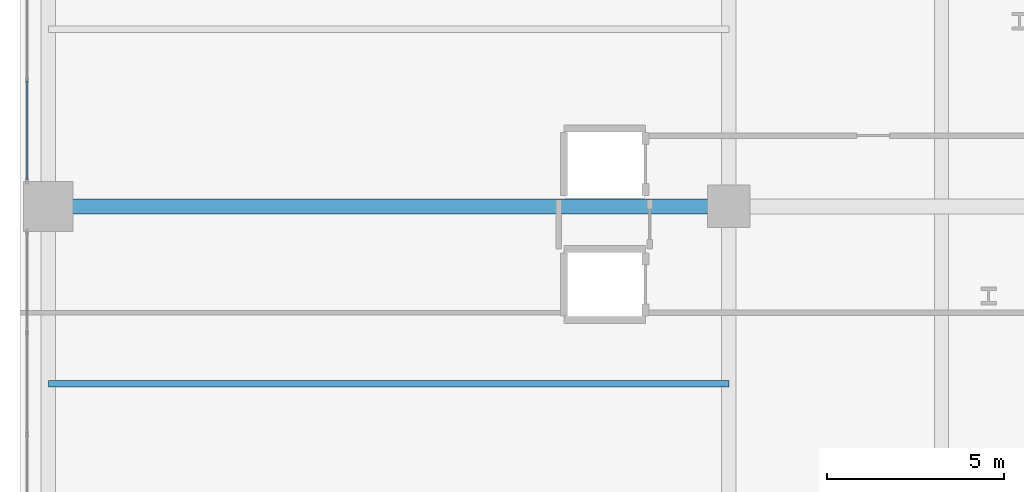
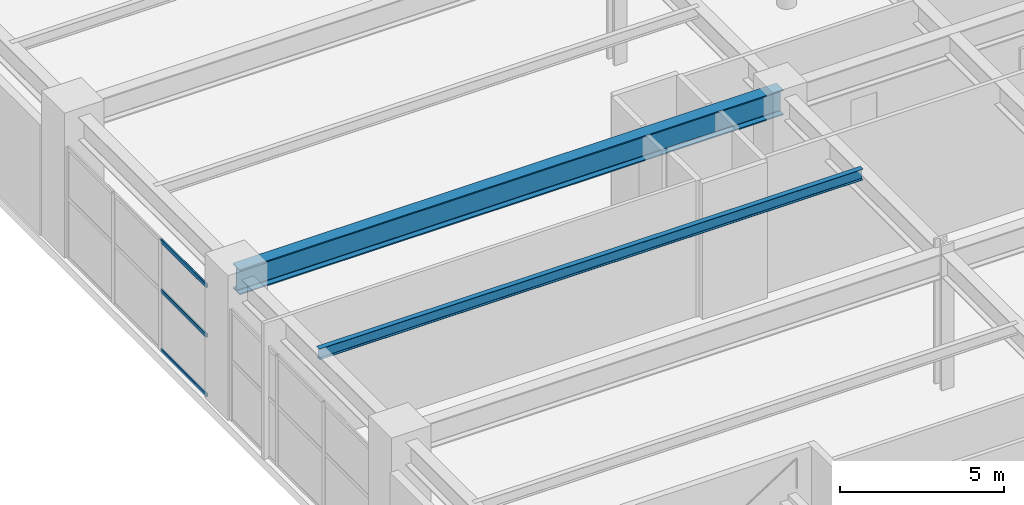
# One storey, part 8 of 28: 3 members, 2 beams, 1 element without a shape of its own.
"""IFC4 building model written with IfcOpenShell, lengths in metres."""

from ifc_helpers import new_model, si_unit, direction, frame, origin, origin_2d, place, context, subcontext, project, spatial, hollow_rectangle, i_section, extrude, material, layer, layer_set, material_profile, profile_set, type_object, element, aggregate, save


model = new_model("IFC4")

# Units and contexts
model_context = context("Model", 3, precision=1e-05, world=origin(), true_north=direction((0.0, 1.0)))
body_context = subcontext(model_context, "Body", "Model", "MODEL_VIEW")
ifc_project = project(units=[si_unit("LENGTHUNIT", "METRE"), si_unit("AREAUNIT", "SQUARE_METRE"), si_unit("VOLUMEUNIT", "CUBIC_METRE"), si_unit("PLANEANGLEUNIT", "RADIAN"), si_unit("MASSUNIT", "GRAM", prefix="KILO")], contexts=[model_context])

# Site, building, storey
site_placement = place(None, origin())
site = spatial("IfcSite", under=ifc_project, at=site_placement, CompositionType="ELEMENT")
building_placement = place(site_placement, origin())
building = spatial("IfcBuilding", under=site, at=building_placement, Name="Soratama Intermodal Tower", CompositionType="ELEMENT")
storey_placement = place(building_placement, frame((0.0, 0.0, 6.0)))
storey = spatial("IfcBuildingStorey", under=building, at=storey_placement, Name="L01", CompositionType="ELEMENT", Elevation=6.0)

# Beams
ifc_material_1 = material(Name="Structural steel ASTM A992 Grade 50", Category="steel")
ifc_material_profile_1 = material_profile(ifc_material_1, i_section(OverallWidth=0.177978515625, OverallDepth=0.406982421875, WebThickness=0.0078125, FlangeThickness=0.0126953125, FilletRadius=0.010009765625, at=origin_2d()), Name="W16X40")
ifc_profile_set_1 = profile_set([ifc_material_profile_1], Name="Structural steel ASTM A992 Grade 50")
beam_type_1 = type_object("IfcBeamType", Name="BM-JST-W16X40", PredefinedType="JOIST", material=ifc_profile_set_1)
beam_1_placement = place(storey_placement, frame((0.800048828125, 20.0, 4.87646484375), z_axis=(1.0, 0.0, 0.0), x_axis=(0.0, 1.0, 0.0)))
element("IfcBeam", 1, at=beam_1_placement, inside=storey, type_object=beam_type_1, Name="JST-L01-W2", PredefinedType="JOIST", context=body_context, shape_type="SweptSolid", body=[
    extrude(i_section(OverallWidth=0.177978515625, OverallDepth=0.406982421875, WebThickness=0.0078125, FlangeThickness=0.0126953125, FilletRadius=0.010009765625, at=origin_2d()), origin(), (0.0, 0.0, 1.0), 19.199951171875),
])
ifc_material_2 = material(Name="Structural steel ASTM A992 Grade 50", Category="steel")
ifc_material_profile_2 = material_profile(ifc_material_2, i_section(OverallWidth=0.423095703125, OverallDepth=0.93896484375, WebThickness=0.02392578125, FlangeThickness=0.042724609375, FilletRadius=0.02392578125, at=origin_2d()), Name="W36X302")
ifc_profile_set_2 = profile_set([ifc_material_profile_2], Name="Structural steel ASTM A992 Grade 50")
beam_type_2 = type_object("IfcBeamType", Name="BM-POD-W36X302", PredefinedType="BEAM", material=ifc_profile_set_2)
beam_2_placement = place(storey_placement, frame((0.800048828125, 25.0, 4.610595703125), z_axis=(1.0, 0.0, 0.0), x_axis=(0.0, 1.0, 0.0)))
element("IfcBeam", 2, at=beam_2_placement, inside=storey, type_object=beam_type_2, Name="L01 Station Girder X3-4", PredefinedType="BEAM", context=body_context, shape_type="SweptSolid", body=[
    extrude(i_section(OverallWidth=0.423095703125, OverallDepth=0.93896484375, WebThickness=0.02392578125, FlangeThickness=0.042724609375, FilletRadius=0.02392578125, at=origin_2d()), origin(), (0.0, 0.0, 1.0), 19.199951171875),
])

# Curtain wall, members
ifc_material_3 = material(Name="Double-glazed aluminium curtain wall", Category="aluminium")
ifc_layer = layer(ifc_material_3, 0.159912109375)
ifc_layer_set = layer_set([ifc_layer], Name="Double-glazed aluminium curtain wall")
curtain_wall_type = type_object("IfcCurtainWallType", Name="CW-SYS-1", PredefinedType="NOTDEFINED", material=ifc_layer_set)
curtain_wall_placement = place(storey_placement, origin())
curtain_wall = element("IfcCurtainWall", 3, at=curtain_wall_placement, inside=storey, type_object=curtain_wall_type, Name="L01 Station Curtain Wall W2", PredefinedType="NOTDEFINED")
ifc_material_4 = material(Name="Anodised aluminium AA 6063-T6", Category="aluminium")
ifc_material_profile_3 = material_profile(ifc_material_4, hollow_rectangle(XDim=0.06494140625, YDim=0.14990234375, WallThickness=0.0048828125, InnerFilletRadius=0.0048828125, OuterFilletRadius=0.010009765625, at=origin_2d()), Name="CWT150X65X5")
ifc_profile_set_3 = profile_set([ifc_material_profile_3], Name="Anodised aluminium AA 6063-T6")
member_type = type_object("IfcMemberType", Name="TT-CWT-1", PredefinedType="USERDEFINED", material=ifc_profile_set_3)
member_1_placement = place(storey_placement, frame((0.199951171875, 25.760009765625, 0.030029296875), z_axis=(0.0, 1.0, 0.0), x_axis=(-1.0, 0.0, 0.0)))
member_1 = element("IfcMember", 4, at=member_1_placement, type_object=member_type, Name="CW-1 transom 1.1", ObjectType="TRANSOM", PredefinedType="USERDEFINED", context=body_context, shape_type="SweptSolid", body=[
    extrude(hollow_rectangle(XDim=0.06494140625, YDim=0.14990234375, WallThickness=0.0048828125, InnerFilletRadius=0.0048828125, OuterFilletRadius=0.010009765625, at=origin_2d()), origin(), (0.0, 0.0, 1.0), 2.776611328125),
])
member_2_placement = place(storey_placement, frame((0.199951171875, 25.760009765625, 2.25), z_axis=(0.0, 1.0, 0.0), x_axis=(-1.0, 0.0, 0.0)))
member_2 = element("IfcMember", 5, at=member_2_placement, type_object=member_type, Name="CW-1 transom 1.2", ObjectType="TRANSOM", PredefinedType="USERDEFINED", context=body_context, shape_type="SweptSolid", body=[
    extrude(hollow_rectangle(XDim=0.06494140625, YDim=0.14990234375, WallThickness=0.0048828125, InnerFilletRadius=0.0048828125, OuterFilletRadius=0.010009765625, at=origin_2d()), origin(), (0.0, 0.0, 1.0), 2.776611328125),
])
member_3_placement = place(storey_placement, frame((0.199951171875, 25.760009765625, 4.10595703125), z_axis=(0.0, 1.0, 0.0), x_axis=(-1.0, 0.0, 0.0)))
member_3 = element("IfcMember", 6, at=member_3_placement, type_object=member_type, Name="CW-1 transom 1.3", ObjectType="TRANSOM", PredefinedType="USERDEFINED", context=body_context, shape_type="SweptSolid", body=[
    extrude(hollow_rectangle(XDim=0.06494140625, YDim=0.14990234375, WallThickness=0.0048828125, InnerFilletRadius=0.0048828125, OuterFilletRadius=0.010009765625, at=origin_2d()), origin(), (0.0, 0.0, 1.0), 2.776611328125),
])
aggregate(curtain_wall, [member_1, member_2, member_3])

save(model, "model.ifc")
